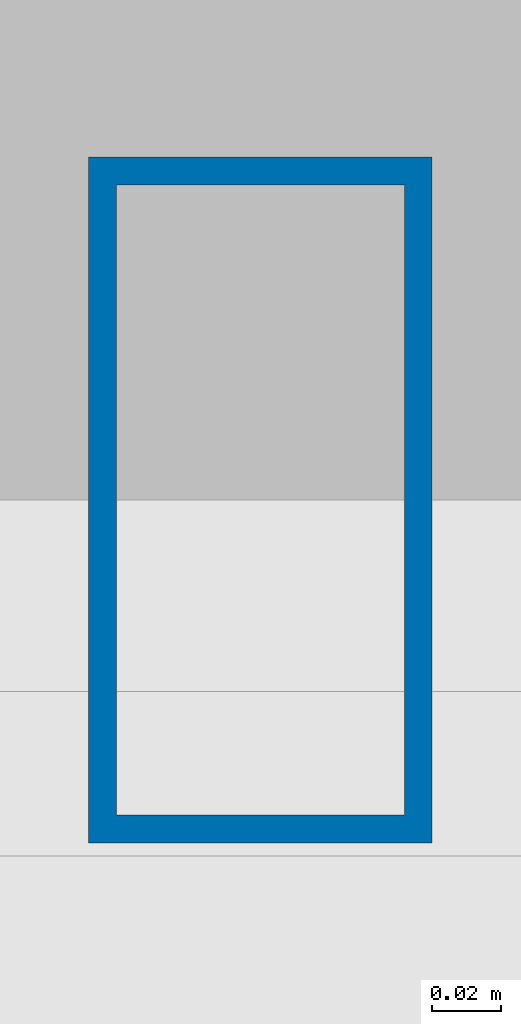
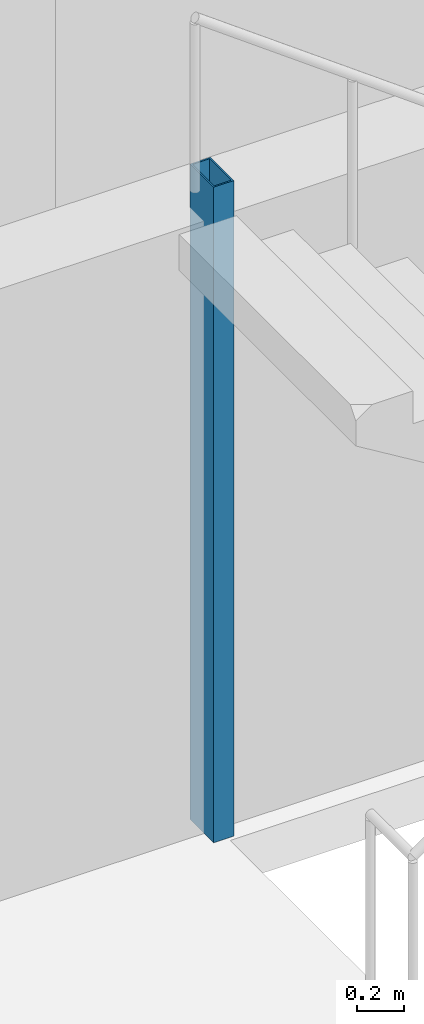
# One storey, part 2 of 19: 1 column.
"""IFC4 building model written with IfcOpenShell, lengths in metres."""

from ifc_helpers import new_model, si_unit, direction, frame, origin, origin_2d, place, context, subcontext, project, spatial, hollow_rectangle, extrude, material, material_profile, profile_set, type_object, element, save


model = new_model("IFC4")

# Units and contexts
model_context = context("Model", 3, precision=1e-05, world=origin(), true_north=direction((0.0, 1.0)))
body_context = subcontext(model_context, "Body", "Model", "MODEL_VIEW")
ifc_project = project(units=[si_unit("LENGTHUNIT", "METRE"), si_unit("AREAUNIT", "SQUARE_METRE"), si_unit("VOLUMEUNIT", "CUBIC_METRE"), si_unit("PLANEANGLEUNIT", "RADIAN"), si_unit("MASSUNIT", "GRAM", prefix="KILO")], contexts=[model_context])

# Site, building, storey
site_placement = place(None, origin())
site = spatial("IfcSite", under=ifc_project, at=site_placement, CompositionType="ELEMENT")
building_placement = place(site_placement, origin())
building = spatial("IfcBuilding", under=site, at=building_placement, Name="Menara Jurai Vektor", CompositionType="ELEMENT")
storey_placement = place(building_placement, frame((0.0, 0.0, 154.800048828125)))
storey = spatial("IfcBuildingStorey", under=building, at=storey_placement, Name="L39", CompositionType="ELEMENT", Elevation=154.800048828125)

# Column
ifc_material = material(Name="Steel S355", Category="steel")
ifc_material_profile = material_profile(ifc_material, hollow_rectangle(XDim=0.10009765625, YDim=0.199951171875, WallThickness=0.008056640625, at=origin_2d()), Name="RHS 200x100x8")
ifc_profile_set = profile_set([ifc_material_profile], Name="Steel S355")
column_type = type_object("IfcColumnType", Name="STR-COL-STAIR", PredefinedType="COLUMN", material=ifc_profile_set)
column_placement = place(storey_placement, frame((-11.1201171875, 5.419921875, 0.0), z_axis=(0.0, 0.0, 1.0), x_axis=(1.0, 0.0, 0.0)))
element("IfcColumn", 1, at=column_placement, inside=storey, type_object=column_type, Name="Stair Well Header Column ST1-P2 L39", PredefinedType="COLUMN", context=body_context, shape_type="SweptSolid", body=[
    extrude(hollow_rectangle(XDim=0.10009765625, YDim=0.199951171875, WallThickness=0.008056640625, at=origin_2d()), origin(), (0.0, 0.0, 1.0), 3.39990234375),
])

save(model, "model.ifc")
